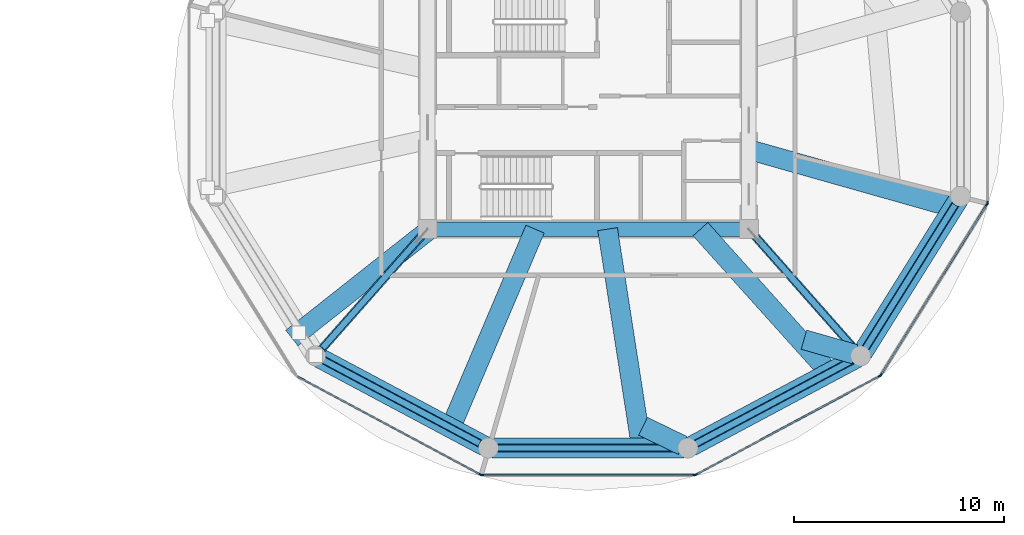
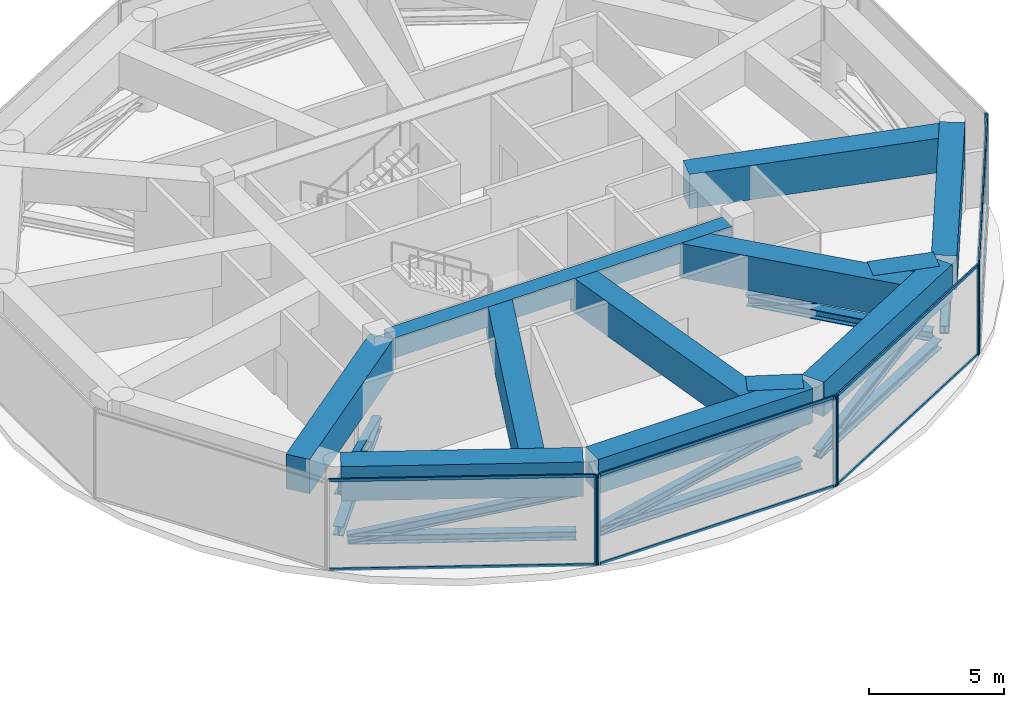
# One storey, part 10 of 22: 28 members, 12 beams, 5 elements without a shape of their own.
"""IFC4 building model written with IfcOpenShell, lengths in metres."""

from ifc_helpers import new_model, si_unit, direction, frame, origin, origin_2d, place, context, subcontext, project, spatial, rectangle, i_section, extrude, source, transform, mapped, material, layer, layer_set, material_profile, profile_set, type_object, type_shapes, element, aggregate, save


model = new_model("IFC4")

# Units and contexts
model_context = context("Model", 3, precision=1e-05, world=origin(), true_north=direction((0.0, 1.0)))
body_context = subcontext(model_context, "Body", "Model", "MODEL_VIEW")
ifc_project = project(units=[si_unit("LENGTHUNIT", "METRE"), si_unit("AREAUNIT", "SQUARE_METRE"), si_unit("VOLUMEUNIT", "CUBIC_METRE"), si_unit("PLANEANGLEUNIT", "RADIAN"), si_unit("MASSUNIT", "GRAM", prefix="KILO")], contexts=[model_context])

# Site, building, storey
site_placement = place(None, origin())
site = spatial("IfcSite", under=ifc_project, at=site_placement, CompositionType="ELEMENT")
building_placement = place(site_placement, origin())
building = spatial("IfcBuilding", under=site, at=building_placement, Name="Norrkilde Senior Care Towers", CompositionType="ELEMENT")
storey_placement = place(building_placement, frame((0.0, 0.0, 73.449951171875)))
storey = spatial("IfcBuildingStorey", under=building, at=storey_placement, Name="L22", CompositionType="ELEMENT", Elevation=73.449951171875)

# Beams
ifc_material_1 = material(Name="Concrete C60/75", Category="concrete")
ifc_material_profile_1 = material_profile(ifc_material_1, rectangle(XDim=0.699951171875, YDim=0.89990234375, at=origin_2d()), Name="RC BM 700x900")
ifc_profile_set_1 = profile_set([ifc_material_profile_1], Name="Concrete C60/75")
beam_type_1 = type_object("IfcBeamType", Name="Core Coupling Girder 700x900", PredefinedType="USERDEFINED", material=ifc_profile_set_1)
shared_shape_1 = source(origin(), body_context, "Body", "SweptSolid", [
    extrude(rectangle(XDim=0.699951171875, YDim=0.89990234375, at=origin_2d()), origin(), (0.0, 0.0, 1.0), 14.43994140625),
])
type_shapes(beam_type_1, [shared_shape_1])
beam_1_placement = place(storey_placement, frame((20.780029296875, -5.949951171875, 3.630126953125), z_axis=(1.0, 0.0, 0.0), x_axis=(0.0, 1.0, 0.0)))
element("IfcBeam", 1, at=beam_1_placement, inside=storey, type_object=beam_type_1, Name="L22 Core E S Coupling Girder", ObjectType="GIRDER", PredefinedType="USERDEFINED", context=body_context, shape_type="MappedRepresentation", body=[
    mapped(shared_shape_1, transform((0.0, 0.0, 0.0), x_axis=(1.0, 0.0, 0.0), y_axis=(0.0, 1.0, 0.0), z_axis=(0.0, 0.0, 1.0), scale=1.0)),
])
ifc_material_profile_2 = material_profile(ifc_material_1, rectangle(XDim=0.949951171875, YDim=1.550048828125, at=origin_2d()), Name="RC TG 950x1550")
ifc_profile_set_2 = profile_set([ifc_material_profile_2], Name="Concrete C60/75")
beam_type_2 = type_object("IfcBeamType", Name="Transfer Girder Zone Shift 950x1550", PredefinedType="USERDEFINED", material=ifc_profile_set_2)
shared_shape_2 = source(origin(), body_context, "Body", "SweptSolid", [
    extrude(rectangle(XDim=0.949951171875, YDim=1.550048828125, at=origin_2d()), origin(), (0.0, 0.0, 1.0), 8.6005859375),
])
beam_2_placement = place(storey_placement, frame((41.07080078125, -11.832763671875, 3.304931640625), z_axis=(0.53002700696, 0.847980761511, 0.0), x_axis=(-0.847980761511, 0.53002700696, 0.0)))
element("IfcBeam", 2, at=beam_2_placement, inside=storey, type_object=beam_type_2, Name="L22 Drum E Zone Ring Transfer Girder 11", ObjectType="GIRDER", PredefinedType="USERDEFINED", context=body_context, shape_type="MappedRepresentation", body=[
    mapped(shared_shape_2, transform((0.0, 0.0, 0.0), x_axis=(1.0, 0.0, 0.0), y_axis=(0.0, 1.0, 0.0), z_axis=(0.0, 0.0, 1.0), scale=1.0)),
])
shared_shape_3 = source(origin(), body_context, "Body", "SweptSolid", [
    extrude(rectangle(XDim=0.949951171875, YDim=1.550048828125, at=origin_2d()), origin(), (0.0, 0.0, 1.0), 8.962890625),
])
for number, where, z_axis, x_axis, name in (
    (3, (15.183349609375, -12.070068359375, 3.304931640625), (0.882355957252, -0.470582580109, 0.0), (0.470582580109, 0.882355957252, 0.0), "L22 Drum E Zone Ring Transfer Girder 08"),
    (4, (32.908203125, -16.287841796875, 3.304931640625), (0.882355957252, 0.470582580109, 0.0), (-0.470582580109, 0.882355957252, 0.0), "L22 Drum E Zone Ring Transfer Girder 10"),
):
    element("IfcBeam", number, at=place(storey_placement, frame(where, z_axis=z_axis, x_axis=x_axis)), inside=storey, type_object=beam_type_2, Name=name, ObjectType="GIRDER", PredefinedType="USERDEFINED", context=body_context, shape_type="MappedRepresentation", body=[
        mapped(shared_shape_3, transform((0.0, 0.0, 0.0), x_axis=(1.0, 0.0, 0.0), y_axis=(0.0, 1.0, 0.0), z_axis=(0.0, 0.0, 1.0), scale=1.0)),
    ])
shared_shape_4 = source(origin(), body_context, "Body", "SweptSolid", [
    extrude(rectangle(XDim=0.949951171875, YDim=1.550048828125, at=origin_2d()), origin(), (0.0, 0.0, 1.0), 9.138671875),
])
beam_3_placement = place(storey_placement, frame((23.4306640625, -16.37255859375, 3.304931640625), z_axis=(1.0, 0.0, 0.0), x_axis=(0.0, 1.0, 0.0)))
element("IfcBeam", 5, at=beam_3_placement, inside=storey, type_object=beam_type_2, Name="L22 Drum E Zone Ring Transfer Girder 09", ObjectType="GIRDER", PredefinedType="USERDEFINED", context=body_context, shape_type="MappedRepresentation", body=[
    mapped(shared_shape_4, transform((0.0, 0.0, 0.0), x_axis=(1.0, 0.0, 0.0), y_axis=(0.0, 1.0, 0.0), z_axis=(0.0, 0.0, 1.0), scale=1.0)),
])
shared_shape_5 = source(origin(), body_context, "Body", "SweptSolid", [
    extrude(rectangle(XDim=0.949951171875, YDim=1.550048828125, at=origin_2d()), origin(), (0.0, 0.0, 1.0), 8.37060546875),
])
beam_4_placement = place(storey_placement, frame((20.463623046875, -5.949951171875, 3.304931640625), z_axis=(-0.784864847348, -0.619666984272, 0.0), x_axis=(0.619666984272, -0.784864847348, 0.0)))
element("IfcBeam", 6, at=beam_4_placement, inside=storey, type_object=beam_type_2, Name="L22 Drum E Zone Transfer Girder 08", ObjectType="GIRDER", PredefinedType="USERDEFINED", context=body_context, shape_type="MappedRepresentation", body=[
    mapped(shared_shape_5, transform((0.0, 0.0, 0.0), x_axis=(1.0, 0.0, 0.0), y_axis=(0.0, 1.0, 0.0), z_axis=(0.0, 0.0, 1.0), scale=1.0)),
])
shared_shape_6 = source(origin(), body_context, "Body", "SweptSolid", [
    extrude(rectangle(XDim=0.949951171875, YDim=1.550048828125, at=origin_2d()), origin(), (0.0, 0.0, 1.0), 10.281982421875),
])
beam_5_placement = place(storey_placement, frame((25.472412109375, -5.949951171875, 3.304931640625), z_axis=(-0.391002869326, -0.920389458968, 0.0), x_axis=(0.920389458968, -0.391002869326, 0.0)))
element("IfcBeam", 7, at=beam_5_placement, inside=storey, type_object=beam_type_2, Name="L22 Drum E Zone Transfer Girder 09", ObjectType="GIRDER", PredefinedType="USERDEFINED", context=body_context, shape_type="MappedRepresentation", body=[
    mapped(shared_shape_6, transform((0.0, 0.0, 0.0), x_axis=(1.0, 0.0, 0.0), y_axis=(0.0, 1.0, 0.0), z_axis=(0.0, 0.0, 1.0), scale=1.0)),
])
shared_shape_7 = source(origin(), body_context, "Body", "SweptSolid", [
    extrude(rectangle(XDim=0.949951171875, YDim=1.550048828125, at=origin_2d()), origin(), (0.0, 0.0, 1.0), 10.547607421875),
])
beam_6_placement = place(storey_placement, frame((28.924072265625, -5.949951171875, 3.304931640625), z_axis=(0.153485022833, -0.988150974176, 0.0), x_axis=(0.988150974176, 0.153485022833, 0.0)))
element("IfcBeam", 8, at=beam_6_placement, inside=storey, type_object=beam_type_2, Name="L22 Drum E Zone Transfer Girder 10", ObjectType="GIRDER", PredefinedType="USERDEFINED", context=body_context, shape_type="MappedRepresentation", body=[
    mapped(shared_shape_7, transform((0.0, 0.0, 0.0), x_axis=(1.0, 0.0, 0.0), y_axis=(0.0, 1.0, 0.0), z_axis=(0.0, 0.0, 1.0), scale=1.0)),
])
shared_shape_8 = source(origin(), body_context, "Body", "SweptSolid", [
    extrude(rectangle(XDim=0.949951171875, YDim=1.550048828125, at=origin_2d()), origin(), (0.0, 0.0, 1.0), 2.093017578125),
])
beam_7_placement = place(storey_placement, frame((30.61474609375, -15.335693359375, 3.304931640625), z_axis=(0.899546137145, -0.436825762916, 0.0), x_axis=(0.436825762916, 0.899546137145, 0.0)))
element("IfcBeam", 9, at=beam_7_placement, inside=storey, type_object=beam_type_2, Name="L22 Drum E Zone Star Transfer Tie 10", ObjectType="GIRDER", PredefinedType="USERDEFINED", context=body_context, shape_type="MappedRepresentation", body=[
    mapped(shared_shape_8, transform((0.0, 0.0, 0.0), x_axis=(1.0, 0.0, 0.0), y_axis=(0.0, 1.0, 0.0), z_axis=(0.0, 0.0, 1.0), scale=1.0)),
])
shared_shape_9 = source(origin(), body_context, "Body", "SweptSolid", [
    extrude(rectangle(XDim=0.949951171875, YDim=1.550048828125, at=origin_2d()), origin(), (0.0, 0.0, 1.0), 9.183349609375),
])
beam_8_placement = place(storey_placement, frame((33.345947265625, -5.949951171875, 3.304931640625), z_axis=(0.668319684115, -0.743874182792, 0.0), x_axis=(0.743874182792, 0.668319684115, 0.0)))
element("IfcBeam", 10, at=beam_8_placement, inside=storey, type_object=beam_type_2, Name="L22 Drum E Zone Transfer Girder 11", ObjectType="GIRDER", PredefinedType="USERDEFINED", context=body_context, shape_type="MappedRepresentation", body=[
    mapped(shared_shape_9, transform((0.0, 0.0, 0.0), x_axis=(1.0, 0.0, 0.0), y_axis=(0.0, 1.0, 0.0), z_axis=(0.0, 0.0, 1.0), scale=1.0)),
])
shared_shape_10 = source(origin(), body_context, "Body", "SweptSolid", [
    extrude(rectangle(XDim=0.949951171875, YDim=1.550048828125, at=origin_2d()), origin(), (0.0, 0.0, 1.0), 2.528076171875),
])
beam_9_placement = place(storey_placement, frame((38.275390625, -11.2138671875, 3.304931640625), z_axis=(0.961520303508, -0.274733882041, 0.0), x_axis=(0.274733882041, 0.961520303508, 0.0)))
element("IfcBeam", 11, at=beam_9_placement, inside=storey, type_object=beam_type_2, Name="L22 Drum E Zone Star Transfer Tie 11", ObjectType="GIRDER", PredefinedType="USERDEFINED", context=body_context, shape_type="MappedRepresentation", body=[
    mapped(shared_shape_10, transform((0.0, 0.0, 0.0), x_axis=(1.0, 0.0, 0.0), y_axis=(0.0, 1.0, 0.0), z_axis=(0.0, 0.0, 1.0), scale=1.0)),
])
shared_shape_11 = source(origin(), body_context, "Body", "SweptSolid", [
    extrude(rectangle(XDim=0.949951171875, YDim=1.550048828125, at=origin_2d()), origin(), (0.0, 0.0, 1.0), 10.125244140625),
])
type_shapes(beam_type_2, [shared_shape_2, shared_shape_3, shared_shape_4, shared_shape_5, shared_shape_6, shared_shape_7, shared_shape_8, shared_shape_9, shared_shape_10, shared_shape_11])
beam_10_placement = place(storey_placement, frame((35.64990234375, -2.162841796875, 3.304931640625), z_axis=(0.962288137235, -0.272032242459, 0.0), x_axis=(0.272032242459, 0.962288137235, 0.0)))
element("IfcBeam", 12, at=beam_10_placement, inside=storey, type_object=beam_type_2, Name="L22 Drum E Zone Transfer Girder 12", ObjectType="GIRDER", PredefinedType="USERDEFINED", context=body_context, shape_type="MappedRepresentation", body=[
    mapped(shared_shape_11, transform((0.0, 0.0, 0.0), x_axis=(1.0, 0.0, 0.0), y_axis=(0.0, 1.0, 0.0), z_axis=(0.0, 0.0, 1.0), scale=1.0)),
])

# Members
ifc_material_2 = material(Name="Steel S355", Category="steel")
ifc_material_profile_3 = material_profile(ifc_material_2, i_section(OverallWidth=0.3740234375, OverallDepth=0.386962890625, WebThickness=0.01611328125, FlangeThickness=0.027099609375, FilletRadius=0.014892578125, at=origin_2d()), Name="HD 360x262")
ifc_profile_set_3 = profile_set([ifc_material_profile_3], Name="Steel S355")
member_type_1 = type_object("IfcMemberType", Name="Belt Truss Ring Chord HD360x262", PredefinedType="CHORD", material=ifc_profile_set_3)
shared_shape_12 = source(origin(), body_context, "Body", "SweptSolid", [
    extrude(i_section(OverallWidth=0.3740234375, OverallDepth=0.386962890625, WebThickness=0.01611328125, FlangeThickness=0.027099609375, FilletRadius=0.014892578125, at=origin_2d()), origin(), (0.0, 0.0, 1.0), 8.090576171875),
])
member_1_placement = place(storey_placement, frame((41.2060546875, -11.61669921875, 0.550048828125), z_axis=(0.530004364821, 0.84799491347, 0.0), x_axis=(-0.84799491347, 0.530004364821, 0.0)))
element("IfcMember", 13, at=member_1_placement, inside=storey, type_object=member_type_1, Name="L22 Drum E Belt Truss Bottom Chord 11", PredefinedType="CHORD", context=body_context, shape_type="MappedRepresentation", body=[
    mapped(shared_shape_12, transform((0.0, 0.0, 0.0), x_axis=(1.0, 0.0, 0.0), y_axis=(0.0, 1.0, 0.0), z_axis=(0.0, 0.0, 1.0), scale=1.0)),
])
ifc_material_profile_4 = material_profile(ifc_material_2, i_section(OverallWidth=0.300048828125, OverallDepth=0.39990234375, WebThickness=0.013427734375, FlangeThickness=0.02392578125, FilletRadius=0.027099609375, at=origin_2d()), Name="HEB 400")
ifc_profile_set_4 = profile_set([ifc_material_profile_4], Name="Steel S355")
member_type_2 = type_object("IfcMemberType", Name="Belt Truss Diagonal HEB400", PredefinedType="BRACE", material=ifc_profile_set_4)
shared_shape_13 = source(origin(), body_context, "Body", "SweptSolid", [
    extrude(i_section(OverallWidth=0.300048828125, OverallDepth=0.39990234375, WebThickness=0.013427734375, FlangeThickness=0.02392578125, FilletRadius=0.027099609375, at=origin_2d()), origin(), (0.0, 0.0, 1.0), 8.317626953125),
])
member_2_placement = place(storey_placement, frame((41.2060546875, -11.61669921875, 0.550048828125), z_axis=(0.515540041994, 0.824852326355, 0.232028241401), x_axis=(-0.84799491347, 0.530004364821, 0.0)))
element("IfcMember", 14, at=member_2_placement, inside=storey, type_object=member_type_2, Name="L22 Drum E Belt Truss Diagonal 11", PredefinedType="BRACE", context=body_context, shape_type="MappedRepresentation", body=[
    mapped(shared_shape_13, transform((0.0, 0.0, 0.0), x_axis=(1.0, 0.0, 0.0), y_axis=(0.0, 1.0, 0.0), z_axis=(0.0, 0.0, 1.0), scale=1.0)),
])
shared_shape_14 = source(origin(), body_context, "Body", "SweptSolid", [
    extrude(i_section(OverallWidth=0.3740234375, OverallDepth=0.386962890625, WebThickness=0.01611328125, FlangeThickness=0.027099609375, FilletRadius=0.014892578125, at=origin_2d()), origin(), (0.0, 0.0, 1.0), 8.452880859375),
])
for number, where, z_axis, x_axis, name in (
    (15, (15.408447265625, -12.190185546875, 0.550048828125), (0.882368931134, -0.470558252898, 0.0), (0.470558252898, 0.882368931134, 0.0), "L22 Drum E Belt Truss Bottom Chord 08"),
    (16, (33.133056640625, -16.167724609375, 0.550048828125), (0.882368931134, 0.470558252898, 0.0), (-0.470558252898, 0.882368931134, 0.0), "L22 Drum E Belt Truss Bottom Chord 10"),
):
    element("IfcMember", number, at=place(storey_placement, frame(where, z_axis=z_axis, x_axis=x_axis)), inside=storey, type_object=member_type_1, Name=name, PredefinedType="CHORD", context=body_context, shape_type="MappedRepresentation", body=[
        mapped(shared_shape_14, transform((0.0, 0.0, 0.0), x_axis=(1.0, 0.0, 0.0), y_axis=(0.0, 1.0, 0.0), z_axis=(0.0, 0.0, 1.0), scale=1.0)),
    ])
shared_shape_15 = source(origin(), body_context, "Body", "SweptSolid", [
    extrude(i_section(OverallWidth=0.300048828125, OverallDepth=0.39990234375, WebThickness=0.013427734375, FlangeThickness=0.02392578125, FilletRadius=0.027099609375, at=origin_2d()), origin(), (0.0, 0.0, 1.0), 8.67041015625),
])
for number, where, z_axis, x_axis, name in (
    (17, (15.408447265625, -12.190185546875, 0.550048828125), (0.860232119374, -0.458752919438, 0.222590340545), (0.470558252898, 0.882368931134, 0.0), "L22 Drum E Belt Truss Diagonal 08"),
    (18, (33.133056640625, -16.167724609375, 0.550048828125), (0.860232119374, 0.458752919438, 0.222590340545), (-0.470558252898, 0.882368931134, 0.0), "L22 Drum E Belt Truss Diagonal 10"),
):
    element("IfcMember", number, at=place(storey_placement, frame(where, z_axis=z_axis, x_axis=x_axis)), inside=storey, type_object=member_type_2, Name=name, PredefinedType="BRACE", context=body_context, shape_type="MappedRepresentation", body=[
        mapped(shared_shape_15, transform((0.0, 0.0, 0.0), x_axis=(1.0, 0.0, 0.0), y_axis=(0.0, 1.0, 0.0), z_axis=(0.0, 0.0, 1.0), scale=1.0)),
    ])
shared_shape_16 = source(origin(), body_context, "Body", "SweptSolid", [
    extrude(i_section(OverallWidth=0.3740234375, OverallDepth=0.386962890625, WebThickness=0.01611328125, FlangeThickness=0.027099609375, FilletRadius=0.014892578125, at=origin_2d()), origin(), (0.0, 0.0, 1.0), 8.62841796875),
])
type_shapes(member_type_1, [shared_shape_12, shared_shape_14, shared_shape_16])
member_3_placement = place(storey_placement, frame((23.685791015625, -16.37255859375, 0.550048828125), z_axis=(1.0, 0.0, 0.0), x_axis=(0.0, 1.0, 0.0)))
element("IfcMember", 19, at=member_3_placement, inside=storey, type_object=member_type_1, Name="L22 Drum E Belt Truss Bottom Chord 09", PredefinedType="CHORD", context=body_context, shape_type="MappedRepresentation", body=[
    mapped(shared_shape_16, transform((0.0, 0.0, 0.0), x_axis=(1.0, 0.0, 0.0), y_axis=(0.0, 1.0, 0.0), z_axis=(0.0, 0.0, 1.0), scale=1.0)),
])
shared_shape_17 = source(origin(), body_context, "Body", "SweptSolid", [
    extrude(i_section(OverallWidth=0.300048828125, OverallDepth=0.39990234375, WebThickness=0.013427734375, FlangeThickness=0.02392578125, FilletRadius=0.027099609375, at=origin_2d()), origin(), (0.0, 0.0, 1.0), 8.841552734375),
])
type_shapes(member_type_2, [shared_shape_13, shared_shape_15, shared_shape_17])
member_4_placement = place(storey_placement, frame((23.685791015625, -16.37255859375, 0.550048828125), z_axis=(0.975886613571, 0.0, 0.218278073688), x_axis=(0.0, 1.0, 0.0)))
element("IfcMember", 20, at=member_4_placement, inside=storey, type_object=member_type_2, Name="L22 Drum E Belt Truss Diagonal 09", PredefinedType="BRACE", context=body_context, shape_type="MappedRepresentation", body=[
    mapped(shared_shape_17, transform((0.0, 0.0, 0.0), x_axis=(1.0, 0.0, 0.0), y_axis=(0.0, 1.0, 0.0), z_axis=(0.0, 0.0, 1.0), scale=1.0)),
])
ifc_material_profile_5 = material_profile(ifc_material_2, i_section(OverallWidth=0.402099609375, OverallDepth=0.419921875, WebThickness=0.02001953125, FlangeThickness=0.032958984375, FilletRadius=0.014892578125, at=origin_2d()), Name="HD 400x347")
ifc_profile_set_5 = profile_set([ifc_material_profile_5], Name="Steel S355")
member_type_3 = type_object("IfcMemberType", Name="Outrigger Truss Chord HD400x347", PredefinedType="CHORD", material=ifc_profile_set_5)
shared_shape_18 = source(origin(), body_context, "Body", "SweptSolid", [
    extrude(i_section(OverallWidth=0.402099609375, OverallDepth=0.419921875, WebThickness=0.02001953125, FlangeThickness=0.032958984375, FilletRadius=0.014892578125, at=origin_2d()), origin(), (0.0, 0.0, 1.0), 7.203857421875),
])
type_shapes(member_type_3, [shared_shape_18])
for number, where, z_axis, x_axis, name in (
    (21, (20.07861328125, -6.25732421875, 0.550048828125), (-0.661603702805, -0.74985367935, 0.0), (0.74985367935, -0.661603702805, 0.0), "L22 Drum E Outrigger Chord 1"),
    (22, (35.92138671875, -6.25732421875, 0.550048828125), (0.661603702805, -0.74985367935, 0.0), (0.74985367935, 0.661603702805, 0.0), "L22 Drum E Outrigger Chord 2"),
):
    element("IfcMember", number, at=place(storey_placement, frame(where, z_axis=z_axis, x_axis=x_axis)), inside=storey, type_object=member_type_3, Name=name, PredefinedType="CHORD", context=body_context, shape_type="MappedRepresentation", body=[
        mapped(shared_shape_18, transform((0.0, 0.0, 0.0), x_axis=(1.0, 0.0, 0.0), y_axis=(0.0, 1.0, 0.0), z_axis=(0.0, 0.0, 1.0), scale=1.0)),
    ])
ifc_material_profile_6 = material_profile(ifc_material_2, i_section(OverallWidth=0.300048828125, OverallDepth=0.5, WebThickness=0.014404296875, FlangeThickness=0.028076171875, FilletRadius=0.027099609375, at=origin_2d()), Name="HEB 500")
ifc_profile_set_6 = profile_set([ifc_material_profile_6], Name="Steel S355")
member_type_4 = type_object("IfcMemberType", Name="Outrigger Truss Diagonal HEB500", PredefinedType="BRACE", material=ifc_profile_set_6)
shared_shape_19 = source(origin(), body_context, "Body", "SweptSolid", [
    extrude(i_section(OverallWidth=0.300048828125, OverallDepth=0.5, WebThickness=0.014404296875, FlangeThickness=0.028076171875, FilletRadius=0.027099609375, at=origin_2d()), origin(), (0.0, 0.0, 1.0), 7.4580078125),
])
type_shapes(member_type_4, [shared_shape_19])
for number, where, z_axis, x_axis, name in (
    (23, (20.07861328125, -6.25732421875, 0.550048828125), (-0.639067688082, -0.724311631314, 0.258776256239), (0.74985367935, -0.661603702805, 0.0), "L22 Drum E Outrigger Diagonal 1"),
    (24, (35.92138671875, -6.25732421875, 0.550048828125), (0.639067688082, -0.724311631314, 0.258776256239), (0.74985367935, 0.661603702805, 0.0), "L22 Drum E Outrigger Diagonal 2"),
):
    element("IfcMember", number, at=place(storey_placement, frame(where, z_axis=z_axis, x_axis=x_axis)), inside=storey, type_object=member_type_4, Name=name, PredefinedType="BRACE", context=body_context, shape_type="MappedRepresentation", body=[
        mapped(shared_shape_19, transform((0.0, 0.0, 0.0), x_axis=(1.0, 0.0, 0.0), y_axis=(0.0, 1.0, 0.0), z_axis=(0.0, 0.0, 1.0), scale=1.0)),
    ])

# Curtain wall, member
ifc_material_3 = material(Name="Triple Low-E Insulated Glazing", Category="glass")
ifc_layer = layer(ifc_material_3, 0.18505859375)
ifc_layer_set = layer_set([ifc_layer], Name="Triple Low-E Insulated Glazing")
curtain_wall_type = type_object("IfcCurtainWallType", Name="CW6 Zone 4 Crown Pavilion Curtain Wall", PredefinedType="NOTDEFINED", material=ifc_layer_set)
curtain_wall_1_placement = place(storey_placement, origin())
curtain_wall_1 = element("IfcCurtainWall", 25, at=curtain_wall_1_placement, inside=storey, type_object=curtain_wall_type, Name="L22 Drum E Curtain Wall 07", PredefinedType="NOTDEFINED")
ifc_material_4 = material(Name="Anodised Aluminium", Category="aluminium")
ifc_material_profile_7 = material_profile(ifc_material_4, rectangle(XDim=0.070068359375, YDim=0.169921875, at=origin_2d()), Name="ALU MULL 70x170")
ifc_profile_set_7 = profile_set([ifc_material_profile_7], Name="Anodised Aluminium")
member_type_5 = type_object("IfcMemberType", Name="Curtain Wall Mullion Heavy 70x170", PredefinedType="MULLION", material=ifc_profile_set_7)
shared_shape_20 = source(origin(), body_context, "Body", "SweptSolid", [
    extrude(rectangle(XDim=0.070068359375, YDim=0.169921875, at=origin_2d()), origin(), (0.0, 0.0, 1.0), 4.080078125),
])
type_shapes(member_type_5, [shared_shape_20])
member_5_placement = place(storey_placement, frame((22.87548828125, -17.640625, 0.0), z_axis=(0.0, 0.0, 1.0), x_axis=(-0.472607802456, -0.881272866403, 0.0)))
member_5 = element("IfcMember", 26, at=member_5_placement, type_object=member_type_5, Name="CW-6 mullion 1", PredefinedType="MULLION", context=body_context, shape_type="MappedRepresentation", body=[
    mapped(shared_shape_20, transform((0.0, 0.0, 0.0), x_axis=(1.0, 0.0, 0.0), y_axis=(0.0, 1.0, 0.0), z_axis=(0.0, 0.0, 1.0), scale=1.0)),
])

# Curtain wall, members
curtain_wall_2_placement = place(storey_placement, origin())
curtain_wall_2 = element("IfcCurtainWall", 27, at=curtain_wall_2_placement, inside=storey, type_object=curtain_wall_type, Name="L22 Drum E Curtain Wall 08", PredefinedType="NOTDEFINED")
member_6_placement = place(storey_placement, frame((33.05859375, -17.6572265625, 0.0), z_axis=(0.0, 0.0, 1.0), x_axis=(0.0, -1.0, 0.0)))
member_6 = element("IfcMember", 28, at=member_6_placement, type_object=member_type_5, Name="CW-6 mullion 1", PredefinedType="MULLION", context=body_context, shape_type="MappedRepresentation", body=[
    mapped(shared_shape_20, transform((0.0, 0.0, 0.0), x_axis=(1.0, 0.0, 0.0), y_axis=(0.0, 1.0, 0.0), z_axis=(0.0, 0.0, 1.0), scale=1.0)),
])
member_7_placement = place(storey_placement, frame((22.94140625, -17.6572265625, 0.0), z_axis=(0.0, 0.0, 1.0), x_axis=(0.0, -1.0, 0.0)))
member_7 = element("IfcMember", 29, at=member_7_placement, type_object=member_type_5, Name="CW-6 mullion 2", PredefinedType="MULLION", context=body_context, shape_type="MappedRepresentation", body=[
    mapped(shared_shape_20, transform((0.0, 0.0, 0.0), x_axis=(1.0, 0.0, 0.0), y_axis=(0.0, 1.0, 0.0), z_axis=(0.0, 0.0, 1.0), scale=1.0)),
])

curtain_wall_3_placement = place(storey_placement, origin())
curtain_wall_3 = element("IfcCurtainWall", 30, at=curtain_wall_3_placement, inside=storey, type_object=curtain_wall_type, Name="L22 Drum E Curtain Wall 09", PredefinedType="NOTDEFINED")
member_8_placement = place(storey_placement, frame((41.885009765625, -12.9423828125, 0.0), z_axis=(0.0, 0.0, 1.0), x_axis=(0.472607802456, -0.881272866403, 0.0)))
member_8 = element("IfcMember", 31, at=member_8_placement, type_object=member_type_5, Name="CW-6 mullion 1", PredefinedType="MULLION", context=body_context, shape_type="MappedRepresentation", body=[
    mapped(shared_shape_20, transform((0.0, 0.0, 0.0), x_axis=(1.0, 0.0, 0.0), y_axis=(0.0, 1.0, 0.0), z_axis=(0.0, 0.0, 1.0), scale=1.0)),
])
member_9_placement = place(storey_placement, frame((33.12451171875, -17.640625, 0.0), z_axis=(0.0, 0.0, 1.0), x_axis=(0.472607802456, -0.881272866403, 0.0)))
member_9 = element("IfcMember", 32, at=member_9_placement, type_object=member_type_5, Name="CW-6 mullion 2", PredefinedType="MULLION", context=body_context, shape_type="MappedRepresentation", body=[
    mapped(shared_shape_20, transform((0.0, 0.0, 0.0), x_axis=(1.0, 0.0, 0.0), y_axis=(0.0, 1.0, 0.0), z_axis=(0.0, 0.0, 1.0), scale=1.0)),
])

curtain_wall_4_placement = place(storey_placement, origin())
curtain_wall_4 = element("IfcCurtainWall", 33, at=curtain_wall_4_placement, inside=storey, type_object=curtain_wall_type, Name="L22 Drum E Curtain Wall 10", PredefinedType="NOTDEFINED")
member_10_placement = place(storey_placement, frame((46.990966796875, -4.760986328125, 0.0), z_axis=(0.0, 0.0, 1.0), x_axis=(0.849305943117, -0.527900951871, 0.0)))
member_10 = element("IfcMember", 34, at=member_10_placement, type_object=member_type_5, Name="CW-6 mullion 1", PredefinedType="MULLION", context=body_context, shape_type="MappedRepresentation", body=[
    mapped(shared_shape_20, transform((0.0, 0.0, 0.0), x_axis=(1.0, 0.0, 0.0), y_axis=(0.0, 1.0, 0.0), z_axis=(0.0, 0.0, 1.0), scale=1.0)),
])
member_11_placement = place(storey_placement, frame((41.934326171875, -12.896240234375, 0.0), z_axis=(0.0, 0.0, 1.0), x_axis=(0.849305943117, -0.527900951871, 0.0)))
member_11 = element("IfcMember", 35, at=member_11_placement, type_object=member_type_5, Name="CW-6 mullion 2", PredefinedType="MULLION", context=body_context, shape_type="MappedRepresentation", body=[
    mapped(shared_shape_20, transform((0.0, 0.0, 0.0), x_axis=(1.0, 0.0, 0.0), y_axis=(0.0, 1.0, 0.0), z_axis=(0.0, 0.0, 1.0), scale=1.0)),
])

# Curtain wall, member
curtain_wall_5_placement = place(storey_placement, origin())
curtain_wall_5 = element("IfcCurtainWall", 36, at=curtain_wall_5_placement, inside=storey, type_object=curtain_wall_type, Name="L22 Drum E Curtain Wall 11", PredefinedType="NOTDEFINED")
member_12_placement = place(storey_placement, frame((47.009521484375, -4.6962890625, 0.0), z_axis=(0.0, 0.0, 1.0), x_axis=(1.0, 0.0, 0.0)))
member_12 = element("IfcMember", 37, at=member_12_placement, type_object=member_type_5, Name="CW-6 mullion 2", PredefinedType="MULLION", context=body_context, shape_type="MappedRepresentation", body=[
    mapped(shared_shape_20, transform((0.0, 0.0, 0.0), x_axis=(1.0, 0.0, 0.0), y_axis=(0.0, 1.0, 0.0), z_axis=(0.0, 0.0, 1.0), scale=1.0)),
])
aggregate(curtain_wall_5, [member_12])

# Member
ifc_material_profile_8 = material_profile(ifc_material_4, rectangle(XDim=0.06494140625, YDim=0.1298828125, at=origin_2d()), Name="ALU TRAN 65x130")
ifc_profile_set_8 = profile_set([ifc_material_profile_8], Name="Anodised Aluminium")
member_type_6 = type_object("IfcMemberType", Name="Curtain Wall Transom Heavy 65x130", PredefinedType="USERDEFINED", material=ifc_profile_set_8)
shared_shape_21 = source(origin(), body_context, "Body", "SweptSolid", [
    extrude(rectangle(XDim=0.06494140625, YDim=0.1298828125, at=origin_2d()), origin(), (0.0, 0.0, 1.0), 9.508544921875),
])
member_13_placement = place(storey_placement, frame((46.972412109375, -4.790771484375, 0.032470703125), z_axis=(-0.527897081271, -0.849308348944, 0.0), x_axis=(0.849308348944, -0.527897081271, 0.0)))
member_13 = element("IfcMember", 38, at=member_13_placement, type_object=member_type_6, Name="CW-6 transom 1.1", ObjectType="TRANSOM", PredefinedType="USERDEFINED", context=body_context, shape_type="MappedRepresentation", body=[
    mapped(shared_shape_21, transform((0.0, 0.0, 0.0), x_axis=(1.0, 0.0, 0.0), y_axis=(0.0, 1.0, 0.0), z_axis=(0.0, 0.0, 1.0), scale=1.0)),
])

member_14_placement = place(storey_placement, frame((46.972412109375, -4.790771484375, 4.047607421875), z_axis=(-0.527897081271, -0.849308348944, 0.0), x_axis=(0.849308348944, -0.527897081271, 0.0)))
member_14 = element("IfcMember", 39, at=member_14_placement, type_object=member_type_6, Name="CW-6 transom 1.2", ObjectType="TRANSOM", PredefinedType="USERDEFINED", context=body_context, shape_type="MappedRepresentation", body=[
    mapped(shared_shape_21, transform((0.0, 0.0, 0.0), x_axis=(1.0, 0.0, 0.0), y_axis=(0.0, 1.0, 0.0), z_axis=(0.0, 0.0, 1.0), scale=1.0)),
])

aggregate(curtain_wall_4, [member_10, member_11, member_13, member_14])

shared_shape_22 = source(origin(), body_context, "Body", "SweptSolid", [
    extrude(rectangle(XDim=0.06494140625, YDim=0.1298828125, at=origin_2d()), origin(), (0.0, 0.0, 1.0), 9.870849609375),
])
member_15_placement = place(storey_placement, frame((22.8447265625, -17.6240234375, 0.032470703125), z_axis=(-0.881274347161, 0.472605041272, 0.0), x_axis=(-0.472605041272, -0.881274347161, 0.0)))
member_15 = element("IfcMember", 40, at=member_15_placement, type_object=member_type_6, Name="CW-6 transom 1.1", ObjectType="TRANSOM", PredefinedType="USERDEFINED", context=body_context, shape_type="MappedRepresentation", body=[
    mapped(shared_shape_22, transform((0.0, 0.0, 0.0), x_axis=(1.0, 0.0, 0.0), y_axis=(0.0, 1.0, 0.0), z_axis=(0.0, 0.0, 1.0), scale=1.0)),
])

member_16_placement = place(storey_placement, frame((22.8447265625, -17.6240234375, 4.047607421875), z_axis=(-0.881274347161, 0.472605041272, 0.0), x_axis=(-0.472605041272, -0.881274347161, 0.0)))
member_16 = element("IfcMember", 41, at=member_16_placement, type_object=member_type_6, Name="CW-6 transom 1.2", ObjectType="TRANSOM", PredefinedType="USERDEFINED", context=body_context, shape_type="MappedRepresentation", body=[
    mapped(shared_shape_22, transform((0.0, 0.0, 0.0), x_axis=(1.0, 0.0, 0.0), y_axis=(0.0, 1.0, 0.0), z_axis=(0.0, 0.0, 1.0), scale=1.0)),
])

aggregate(curtain_wall_1, [member_5, member_15, member_16])

member_17_placement = place(storey_placement, frame((41.854248046875, -12.958984375, 0.032470703125), z_axis=(-0.881274347161, -0.472605041272, 0.0), x_axis=(0.472605041272, -0.881274347161, 0.0)))
member_17 = element("IfcMember", 42, at=member_17_placement, type_object=member_type_6, Name="CW-6 transom 1.1", ObjectType="TRANSOM", PredefinedType="USERDEFINED", context=body_context, shape_type="MappedRepresentation", body=[
    mapped(shared_shape_22, transform((0.0, 0.0, 0.0), x_axis=(1.0, 0.0, 0.0), y_axis=(0.0, 1.0, 0.0), z_axis=(0.0, 0.0, 1.0), scale=1.0)),
])

member_18_placement = place(storey_placement, frame((41.854248046875, -12.958984375, 4.047607421875), z_axis=(-0.881274347161, -0.472605041272, 0.0), x_axis=(0.472605041272, -0.881274347161, 0.0)))
member_18 = element("IfcMember", 43, at=member_18_placement, type_object=member_type_6, Name="CW-6 transom 1.2", ObjectType="TRANSOM", PredefinedType="USERDEFINED", context=body_context, shape_type="MappedRepresentation", body=[
    mapped(shared_shape_22, transform((0.0, 0.0, 0.0), x_axis=(1.0, 0.0, 0.0), y_axis=(0.0, 1.0, 0.0), z_axis=(0.0, 0.0, 1.0), scale=1.0)),
])

aggregate(curtain_wall_3, [member_8, member_9, member_17, member_18])

shared_shape_23 = source(origin(), body_context, "Body", "SweptSolid", [
    extrude(rectangle(XDim=0.06494140625, YDim=0.1298828125, at=origin_2d()), origin(), (0.0, 0.0, 1.0), 10.046875),
])
type_shapes(member_type_6, [shared_shape_21, shared_shape_22, shared_shape_23])
member_19_placement = place(storey_placement, frame((33.0234375, -17.6572265625, 0.032470703125), z_axis=(-1.0, 0.0, 0.0), x_axis=(0.0, -1.0, 0.0)))
member_19 = element("IfcMember", 44, at=member_19_placement, type_object=member_type_6, Name="CW-6 transom 1.1", ObjectType="TRANSOM", PredefinedType="USERDEFINED", context=body_context, shape_type="MappedRepresentation", body=[
    mapped(shared_shape_23, transform((0.0, 0.0, 0.0), x_axis=(1.0, 0.0, 0.0), y_axis=(0.0, 1.0, 0.0), z_axis=(0.0, 0.0, 1.0), scale=1.0)),
])

member_20_placement = place(storey_placement, frame((33.0234375, -17.6572265625, 4.047607421875), z_axis=(-1.0, 0.0, 0.0), x_axis=(0.0, -1.0, 0.0)))
member_20 = element("IfcMember", 45, at=member_20_placement, type_object=member_type_6, Name="CW-6 transom 1.2", ObjectType="TRANSOM", PredefinedType="USERDEFINED", context=body_context, shape_type="MappedRepresentation", body=[
    mapped(shared_shape_23, transform((0.0, 0.0, 0.0), x_axis=(1.0, 0.0, 0.0), y_axis=(0.0, 1.0, 0.0), z_axis=(0.0, 0.0, 1.0), scale=1.0)),
])

aggregate(curtain_wall_2, [member_6, member_7, member_19, member_20])

save(model, "model.ifc")
